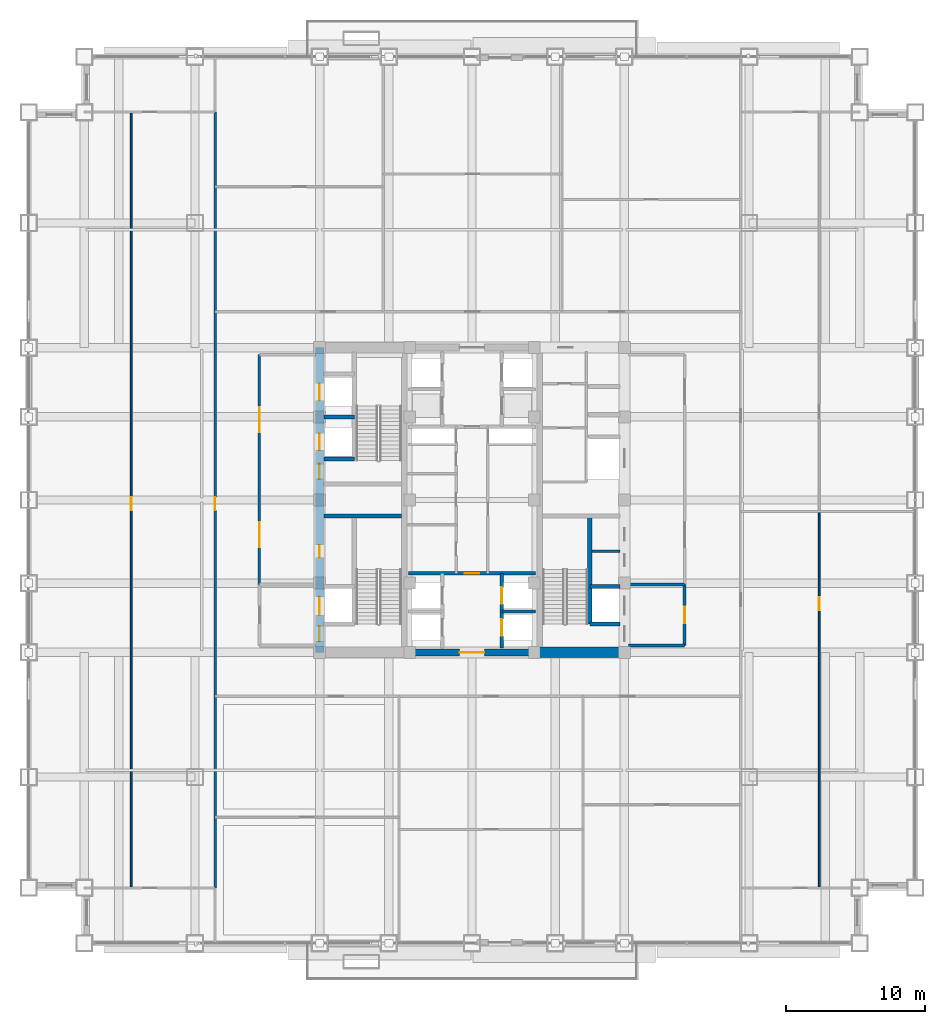
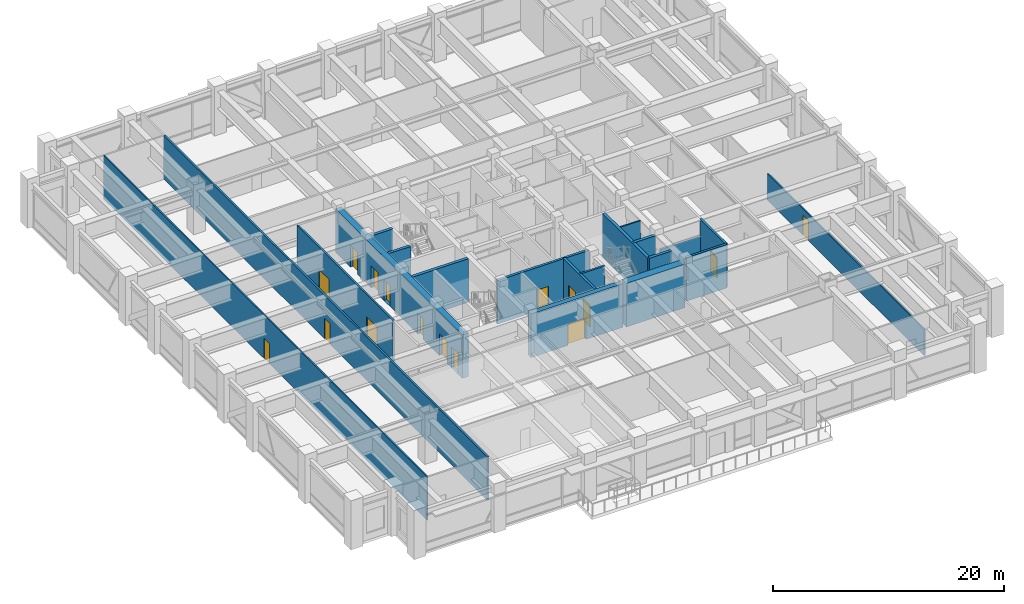
# One storey, part 25 of 34: 20 walls, 16 doors, 16 openings.
"""IFC4 building model written with IfcOpenShell, lengths in metres."""

from ifc_helpers import new_model, si_unit, direction, frame, frame_2d, origin, place, context, subcontext, project, spatial, rectangle, extrude, source, transform, mapped, material, layer, layer_set, type_object, element, fill, save


model = new_model("IFC4")

# Units and contexts
model_context = context("Model", 3, precision=1e-05, world=origin(), true_north=direction((0.0, 1.0)))
body_context = subcontext(model_context, "Body", "Model", "MODEL_VIEW")
ifc_project = project(units=[si_unit("LENGTHUNIT", "METRE"), si_unit("AREAUNIT", "SQUARE_METRE"), si_unit("VOLUMEUNIT", "CUBIC_METRE"), si_unit("PLANEANGLEUNIT", "RADIAN"), si_unit("MASSUNIT", "GRAM", prefix="KILO")], contexts=[model_context])

# Site, building, storey
site_placement = place(None, origin())
site = spatial("IfcSite", under=ifc_project, at=site_placement, CompositionType="ELEMENT")
building_placement = place(site_placement, origin())
building = spatial("IfcBuilding", under=site, at=building_placement, Name="Khorayat Bourse Tower", CompositionType="ELEMENT")
storey_placement = place(building_placement, frame((0.0, 0.0, 144.699951171875)))
storey = spatial("IfcBuildingStorey", under=building, at=storey_placement, Name="L33", CompositionType="ELEMENT", Elevation=144.699951171875)

# Wall, openings, doors
ifc_material_1 = material(Name="Concrete C60/75", Category="concrete")
ifc_layer_1 = layer(ifc_material_1, 0.60009765625)
ifc_layer_set_1 = layer_set([ifc_layer_1], Name="Concrete C60/75")
wall_type_1 = type_object("IfcWallType", Name="WAL-CORE-600", PredefinedType="SHEAR", material=ifc_layer_set_1)
shared_shape_1 = source(origin(), body_context, "Body", "SweptSolid", [
    extrude(rectangle(XDim=22.0, YDim=0.60009765625, at=frame_2d((11.0, 0.0))), origin(), (0.0, 0.0, 1.0), 4.60009765625),
])
wall_1_placement = place(storey_placement, frame((-11.0, -11.0, 0.0), z_axis=(0.0, 0.0, 1.0), x_axis=(0.0, 1.0, 0.0)))
wall_1 = element("IfcWall", 1, at=wall_1_placement, inside=storey, type_object=wall_type_1, Name="L33 Core Shear Wall CORE-W", PredefinedType="SHEAR", context=body_context, shape_type="MappedRepresentation", body=[
    mapped(shared_shape_1, transform((0.0, 0.0, 0.0), scale=1.0)),
])
shared_shape_2 = source(origin(), body_context, "Body", "SweptSolid", [
    extrude(rectangle(XDim=1.10009765625, YDim=2.199951171875, at=frame_2d((0.550048828125, 1.10009765625))), frame((0.0, 0.31005859375, 0.0), z_axis=(0.0, -1.0, 0.0), x_axis=(1.0, 0.0, 0.0)), (0.0, 0.0, 1.0), 0.6201171875),
])
opening_1_placement = place(wall_1_placement, frame((0.800048828125, 0.0, 0.0)))
opening_1 = element("IfcOpeningElement", 2, at=opening_1_placement, cuts=wall_1, Name="Opening DI-01", PredefinedType="OPENING", context=body_context, shape_type="MappedRepresentation", body=[
    mapped(shared_shape_2, transform((0.0, 0.0, 0.0), scale=1.0)),
])
opening_2_placement = place(wall_1_placement, frame((12.5, 0.0, 0.0)))
opening_2 = element("IfcOpeningElement", 3, at=opening_2_placement, cuts=wall_1, Name="Opening DI-01", PredefinedType="OPENING", context=body_context, shape_type="MappedRepresentation", body=[
    mapped(shared_shape_2, transform((0.0, 0.0, 0.0), scale=1.0)),
])
shared_shape_3 = source(origin(), body_context, "Body", "SweptSolid", [
    extrude(rectangle(XDim=0.89990234375, YDim=2.14990234375, at=frame_2d((0.449951171875, 1.074951171875))), frame((0.0, 0.31005859375, 0.0), z_axis=(0.0, -1.0, 0.0), x_axis=(1.0, 0.0, 0.0)), (0.0, 0.0, 1.0), 0.6201171875),
])
opening_3_placement = place(wall_1_placement, frame((6.85009765625, 0.0, 0.0)))
opening_3 = element("IfcOpeningElement", 4, at=opening_3_placement, cuts=wall_1, Name="Opening DI-06", PredefinedType="OPENING", context=body_context, shape_type="MappedRepresentation", body=[
    mapped(shared_shape_3, transform((0.0, 0.0, 0.0), scale=1.0)),
])
shared_shape_4 = source(origin(), body_context, "Body", "SweptSolid", [
    extrude(rectangle(XDim=1.199951171875, YDim=2.300048828125, at=frame_2d((0.60009765625, 1.14990234375))), frame((0.0, 0.31005859375, 0.0), z_axis=(0.0, -1.0, 0.0), x_axis=(1.0, 0.0, 0.0)), (0.0, 0.0, 1.0), 0.6201171875),
])
opening_4_placement = place(wall_1_placement, frame((14.60009765625, 0.0, 0.0)))
opening_4 = element("IfcOpeningElement", 5, at=opening_4_placement, cuts=wall_1, Name="Opening LD-01", PredefinedType="OPENING", context=body_context, shape_type="MappedRepresentation", body=[
    mapped(shared_shape_4, transform((0.0, 0.0, 0.0), scale=1.0)),
])
opening_5_placement = place(wall_1_placement, frame((18.199951171875, 0.0, 0.0)))
opening_5 = element("IfcOpeningElement", 6, at=opening_5_placement, cuts=wall_1, Name="Opening LD-01", PredefinedType="OPENING", context=body_context, shape_type="MappedRepresentation", body=[
    mapped(shared_shape_4, transform((0.0, 0.0, 0.0), scale=1.0)),
])
shared_shape_5 = source(origin(), body_context, "Body", "SweptSolid", [
    extrude(rectangle(XDim=1.300048828125, YDim=2.300048828125, at=frame_2d((0.64990234375, 1.14990234375))), frame((0.0, 0.31005859375, 0.0), z_axis=(0.0, -1.0, 0.0), x_axis=(1.0, 0.0, 0.0)), (0.0, 0.0, 1.0), 0.6201171875),
])
opening_6_placement = place(wall_1_placement, frame((2.699951171875, 0.0, 0.0)))
opening_6 = element("IfcOpeningElement", 7, at=opening_6_placement, cuts=wall_1, Name="Opening LD-02", PredefinedType="OPENING", context=body_context, shape_type="MappedRepresentation", body=[
    mapped(shared_shape_5, transform((0.0, 0.0, 0.0), scale=1.0)),
])
ifc_material_2 = material(Name="Fire-rated steel acoustic leaf", Category="steel")
door_type_1 = type_object("IfcDoorType", Name="DR-INT-STAIR-1100", OperationType="NOTDEFINED", PredefinedType="DOOR", material=ifc_material_2)
shared_shape_6 = source(origin(), body_context, "Body", "SweptSolid", [
    extrude(rectangle(XDim=1.10009765625, YDim=2.199951171875, at=frame_2d((0.550048828125, 1.10009765625))), frame((0.0, 0.02490234375, 0.0), z_axis=(0.0, -1.0, 0.0), x_axis=(1.0, 0.0, 0.0)), (0.0, 0.0, 1.0), 0.050048828125),
])
door_1_placement = place(opening_1_placement, origin())
door_1 = element("IfcDoor", 8, at=door_1_placement, inside=storey, type_object=door_type_1, Name="L33 Exit Stair 1 Door", OperationType="SINGLE_SWING_RIGHT", OverallHeight=2.199951171875, OverallWidth=1.10009765625, PredefinedType="DOOR", context=body_context, shape_type="MappedRepresentation", body=[
    mapped(shared_shape_6, transform((0.0, 0.0, 0.0), scale=1.0)),
])
fill(opening_1, door_1)
door_2_placement = place(opening_2_placement, origin())
door_2 = element("IfcDoor", 9, at=door_2_placement, inside=storey, type_object=door_type_1, Name="L33 Exit Stair 2 Door", OperationType="SINGLE_SWING_RIGHT", OverallHeight=2.199951171875, OverallWidth=1.10009765625, PredefinedType="DOOR", context=body_context, shape_type="MappedRepresentation", body=[
    mapped(shared_shape_6, transform((0.0, 0.0, 0.0), scale=1.0)),
])
fill(opening_2, door_2)
ifc_material_3 = material(Name="Moisture-resistant laminate washroom door")
door_type_2 = type_object("IfcDoorType", Name="DR-INT-WC-900", OperationType="NOTDEFINED", PredefinedType="DOOR", material=ifc_material_3)
shared_shape_7 = source(origin(), body_context, "Body", "SweptSolid", [
    extrude(rectangle(XDim=0.89990234375, YDim=2.14990234375, at=frame_2d((0.449951171875, 1.074951171875))), frame((0.0, 0.02490234375, 0.0), z_axis=(0.0, -1.0, 0.0), x_axis=(1.0, 0.0, 0.0)), (0.0, 0.0, 1.0), 0.050048828125),
])
door_3_placement = place(opening_3_placement, origin())
door_3 = element("IfcDoor", 10, at=door_3_placement, inside=storey, type_object=door_type_2, Name="L33 Electrical Switch Plant Room Door", OperationType="SINGLE_SWING_RIGHT", OverallHeight=2.14990234375, OverallWidth=0.89990234375, PredefinedType="DOOR", context=body_context, shape_type="MappedRepresentation", body=[
    mapped(shared_shape_7, transform((0.0, 0.0, 0.0), scale=1.0)),
])
fill(opening_3, door_3)
ifc_material_4 = material(Name="Brushed bronze stainless-steel sliding door", Category="steel")
door_type_3 = type_object("IfcDoorType", Name="DR-LIFT-PASS-1200", OperationType="NOTDEFINED", PredefinedType="DOOR", material=ifc_material_4)
shared_shape_8 = source(origin(), body_context, "Body", "SweptSolid", [
    extrude(rectangle(XDim=1.199951171875, YDim=2.300048828125, at=frame_2d((0.60009765625, 1.14990234375))), frame((0.0, 0.02490234375, 0.0), z_axis=(0.0, -1.0, 0.0), x_axis=(1.0, 0.0, 0.0)), (0.0, 0.0, 1.0), 0.050048828125),
])
door_4_placement = place(opening_4_placement, origin())
door_4 = element("IfcDoor", 11, at=door_4_placement, inside=storey, type_object=door_type_3, Name="L33 Lift PL-H1 Sliding Landing Door", OperationType="SLIDING_TO_LEFT", OverallHeight=2.300048828125, OverallWidth=1.199951171875, PredefinedType="DOOR", context=body_context, shape_type="MappedRepresentation", body=[
    mapped(shared_shape_8, transform((0.0, 0.0, 0.0), scale=1.0)),
])
fill(opening_4, door_4)
door_5_placement = place(opening_5_placement, origin())
door_5 = element("IfcDoor", 12, at=door_5_placement, inside=storey, type_object=door_type_3, Name="L33 Lift PL-H2 Sliding Landing Door", OperationType="SLIDING_TO_LEFT", OverallHeight=2.300048828125, OverallWidth=1.199951171875, PredefinedType="DOOR", context=body_context, shape_type="MappedRepresentation", body=[
    mapped(shared_shape_8, transform((0.0, 0.0, 0.0), scale=1.0)),
])
fill(opening_5, door_5)
ifc_material_5 = material(Name="Fire-rated stainless-steel sliding landing door", Category="steel")
door_type_4 = type_object("IfcDoorType", Name="DR-LIFT-FF-1300", OperationType="NOTDEFINED", PredefinedType="DOOR", material=ifc_material_5)
shared_shape_9 = source(origin(), body_context, "Body", "SweptSolid", [
    extrude(rectangle(XDim=1.300048828125, YDim=2.300048828125, at=frame_2d((0.64990234375, 1.14990234375))), frame((0.0, 0.02490234375, 0.0), z_axis=(0.0, -1.0, 0.0), x_axis=(1.0, 0.0, 0.0)), (0.0, 0.0, 1.0), 0.050048828125),
])
door_6_placement = place(opening_6_placement, origin())
door_6 = element("IfcDoor", 13, at=door_6_placement, inside=storey, type_object=door_type_4, Name="L33 Lift FFL-01 Sliding Landing Door", OperationType="SLIDING_TO_LEFT", OverallHeight=2.300048828125, OverallWidth=1.300048828125, PredefinedType="DOOR", context=body_context, shape_type="MappedRepresentation", body=[
    mapped(shared_shape_9, transform((0.0, 0.0, 0.0), scale=1.0)),
])
fill(opening_6, door_6)

# Walls
ifc_material_6 = material(Name="Concrete C72/90", Category="concrete")
ifc_layer_2 = layer(ifc_material_6, 0.75)
ifc_layer_set_2 = layer_set([ifc_layer_2], Name="Concrete C72/90")
wall_type_2 = type_object("IfcWallType", Name="WAL-CORE-750", PredefinedType="SHEAR", material=ifc_layer_set_2)
shared_shape_10 = source(origin(), body_context, "Body", "SweptSolid", [
    extrude(rectangle(XDim=5.849853515625, YDim=0.75, at=frame_2d((2.9248046875, 0.0))), origin(), (0.0, 0.0, 1.0), 4.60009765625),
])
wall_2_placement = place(storey_placement, frame((4.85009765625, -11.0, 0.0), z_axis=(0.0, 0.0, 1.0), x_axis=(1.0, 0.0, 0.0)))
element("IfcWall", 14, at=wall_2_placement, inside=storey, type_object=wall_type_2, Name="L33 Core Shear Wall PIER-ES", PredefinedType="SHEAR", context=body_context, shape_type="MappedRepresentation", body=[
    mapped(shared_shape_10, transform((0.0, 0.0, 0.0), scale=1.0)),
])
ifc_material_7 = material(Name="Concrete C50/60", Category="concrete")
ifc_layer_3 = layer(ifc_material_7, 0.300048828125)
ifc_layer_set_3 = layer_set([ifc_layer_3], Name="Concrete C50/60")
wall_type_3 = type_object("IfcWallType", Name="WAL-SHAFT-300", PredefinedType="SHEAR", material=ifc_layer_set_3)
shared_shape_11 = source(origin(), body_context, "Body", "SweptSolid", [
    extrude(rectangle(XDim=5.599853515625, YDim=0.300048828125, at=frame_2d((2.7998046875, 0.0))), origin(), (0.0, 0.0, 1.0), 4.60009765625),
])
wall_3_placement = place(storey_placement, frame((-10.699951171875, -1.14990234375, 0.0), z_axis=(0.0, 0.0, 1.0), x_axis=(1.0, 0.0, 0.0)))
element("IfcWall", 15, at=wall_3_placement, inside=storey, type_object=wall_type_3, Name="L33 Core Shear Wall ST1-DIV", PredefinedType="SHEAR", context=body_context, shape_type="MappedRepresentation", body=[
    mapped(shared_shape_11, transform((0.0, 0.0, 0.0), scale=1.0)),
])

# Wall, opening, door
ifc_material_8 = material(Name="Concrete C52/65", Category="concrete")
ifc_layer_4 = layer(ifc_material_8, 0.5)
ifc_layer_set_4 = layer_set([ifc_layer_4], Name="Concrete C52/65")
wall_type_4 = type_object("IfcWallType", Name="WAL-CORE-500", PredefinedType="SHEAR", material=ifc_layer_set_4)
shared_shape_12 = source(origin(), body_context, "Body", "SweptSolid", [
    extrude(rectangle(XDim=9.2001953125, YDim=0.5, at=frame_2d((4.60009765625, 0.0))), origin(), (0.0, 0.0, 1.0), 4.60009765625),
])
wall_4_placement = place(storey_placement, frame((-4.60009765625, -11.0, 0.0), z_axis=(0.0, 0.0, 1.0), x_axis=(1.0, 0.0, 0.0)))
wall_4 = element("IfcWall", 16, at=wall_4_placement, inside=storey, type_object=wall_type_4, Name="L33 Core Shear Wall CORE-S", PredefinedType="SHEAR", context=body_context, shape_type="MappedRepresentation", body=[
    mapped(shared_shape_12, transform((0.0, 0.0, 0.0), scale=1.0)),
])
shared_shape_13 = source(origin(), body_context, "Body", "SweptSolid", [
    extrude(rectangle(XDim=1.800048828125, YDim=2.25, at=frame_2d((0.89990234375, 1.125))), frame((0.0, 0.260009765625, 0.0), z_axis=(0.0, -1.0, 0.0), x_axis=(1.0, 0.0, 0.0)), (0.0, 0.0, 1.0), 0.52001953125),
])
opening_7_placement = place(wall_4_placement, frame((3.699951171875, 0.0, 0.0)))
opening_7 = element("IfcOpeningElement", 17, at=opening_7_placement, cuts=wall_4, Name="Opening DI-03", PredefinedType="OPENING", context=body_context, shape_type="MappedRepresentation", body=[
    mapped(shared_shape_13, transform((0.0, 0.0, 0.0), scale=1.0)),
])
ifc_material_9 = material(Name="Fire-rated hardwood vision-panel double leaf", Category="wood")
door_type_5 = type_object("IfcDoorType", Name="DR-INT-CORR-1800", OperationType="NOTDEFINED", PredefinedType="DOOR", material=ifc_material_9)
shared_shape_14 = source(origin(), body_context, "Body", "SweptSolid", [
    extrude(rectangle(XDim=1.800048828125, YDim=2.25, at=frame_2d((0.89990234375, 1.125))), frame((0.0, 0.02490234375, 0.0), z_axis=(0.0, -1.0, 0.0), x_axis=(1.0, 0.0, 0.0)), (0.0, 0.0, 1.0), 0.050048828125),
])
door_7_placement = place(opening_7_placement, origin())
door_7 = element("IfcDoor", 18, at=door_7_placement, inside=storey, type_object=door_type_5, Name="L33 Low-Rise Lift Lobby Door", OperationType="SINGLE_SWING_LEFT", OverallHeight=2.25, OverallWidth=1.800048828125, PredefinedType="DOOR", context=body_context, shape_type="MappedRepresentation", body=[
    mapped(shared_shape_14, transform((0.0, 0.0, 0.0), scale=1.0)),
])
fill(opening_7, door_7)

# Walls
shared_shape_15 = source(origin(), body_context, "Body", "SweptSolid", [
    extrude(rectangle(XDim=7.800048828125, YDim=0.300048828125, at=frame_2d((3.89990234375, 0.0))), origin(), (0.0, 0.0, 1.0), 4.60009765625),
])
wall_5_placement = place(storey_placement, frame((8.5, -8.949951171875, 0.0), z_axis=(0.0, 0.0, 1.0), x_axis=(0.0, 1.0, 0.0)))
element("IfcWall", 19, at=wall_5_placement, inside=storey, type_object=wall_type_3, Name="L33 Partition WAL-L33-EPIER-SP", PredefinedType="SHEAR", context=body_context, shape_type="MappedRepresentation", body=[
    mapped(shared_shape_15, transform((0.0, 0.0, 0.0), scale=1.0)),
])
shared_shape_16 = source(origin(), body_context, "Body", "SweptSolid", [
    extrude(rectangle(XDim=2.199951171875, YDim=0.300048828125, at=frame_2d((1.10009765625, 0.0))), origin(), (0.0, 0.0, 1.0), 4.60009765625),
])
for number, where, z_axis, x_axis, name in (
    (20, (-10.699951171875, 2.949951171875, 0.0), (0.0, 0.0, 1.0), (1.0, 0.0, 0.0), "L33 Partition WAL-L33-WPIER-H1S"),
    (21, (-10.699951171875, 6.0, 0.0), (0.0, 0.0, 1.0), (1.0, 0.0, 0.0), "L33 Partition WAL-L33-WPIER-H12"),
    (22, (8.5, -8.949951171875, 0.0), (0.0, 0.0, 1.0), (1.0, 0.0, 0.0), "L33 Partition WAL-L33-EPIER-FF2S"),
    (23, (8.5, -6.25, 0.0), (0.0, 0.0, 1.0), (1.0, 0.0, 0.0), "L33 Partition WAL-L33-EPIER-FF2N"),
):
    element("IfcWall", number, at=place(storey_placement, frame(where, z_axis=z_axis, x_axis=x_axis)), inside=storey, type_object=wall_type_3, Name=name, PredefinedType="SHEAR", context=body_context, shape_type="MappedRepresentation", body=[
        mapped(shared_shape_16, transform((0.0, 0.0, 0.0), scale=1.0)),
    ])
ifc_material_10 = material(Name="Gypsum plasterboard twin-frame partition")
ifc_layer_5 = layer(ifc_material_10, 0.14990234375)
ifc_layer_set_5 = layer_set([ifc_layer_5], Name="Gypsum plasterboard twin-frame partition")
wall_type_5 = type_object("IfcWallType", Name="WAL-PART-SUITE-150", PredefinedType="PARTITIONING", material=ifc_layer_set_5)
shared_shape_17 = source(origin(), body_context, "Body", "SweptSolid", [
    extrude(rectangle(XDim=2.050048828125, YDim=0.14990234375, at=frame_2d((1.02490234375, 0.0))), origin(), (0.0, 0.0, 1.0), 4.60009765625),
])
wall_6_placement = place(storey_placement, frame((8.64990234375, -3.699951171875, 0.0), z_axis=(0.0, 0.0, 1.0), x_axis=(1.0, 0.0, 0.0)))
element("IfcWall", 24, at=wall_6_placement, inside=storey, type_object=wall_type_5, Name="L33 Partition WAL-L33-ESRV-D1", PredefinedType="PARTITIONING", context=body_context, shape_type="MappedRepresentation", body=[
    mapped(shared_shape_17, transform((0.0, 0.0, 0.0), scale=1.0)),
])
ifc_material_11 = material(Name="Aerated concrete blockwork", Category="masonry")
ifc_layer_6 = layer(ifc_material_11, 0.219970703125)
ifc_layer_set_6 = layer_set([ifc_layer_6], Name="Aerated concrete blockwork")
wall_type_6 = type_object("IfcWallType", Name="WAL-PART-FF-220", PredefinedType="PARTITIONING", material=ifc_layer_set_6)
shared_shape_18 = source(origin(), body_context, "Body", "SweptSolid", [
    extrude(rectangle(XDim=4.050048828125, YDim=0.219970703125, at=frame_2d((2.02490234375, 0.0))), origin(), (0.0, 0.0, 1.0), 4.60009765625),
])
wall_7_placement = place(storey_placement, frame((11.300048828125, -10.5, 0.0), z_axis=(0.0, 0.0, 1.0), x_axis=(1.0, 0.0, 0.0)))
element("IfcWall", 25, at=wall_7_placement, inside=storey, type_object=wall_type_6, Name="L33 Partition WAL-L33-FFLE-S", PredefinedType="PARTITIONING", context=body_context, shape_type="MappedRepresentation", body=[
    mapped(shared_shape_18, transform((0.0, 0.0, 0.0), scale=1.0)),
])
shared_shape_19 = source(origin(), body_context, "Body", "SweptSolid", [
    extrude(rectangle(XDim=4.050048828125, YDim=0.219970703125, at=frame_2d((2.02490234375, 0.0))), origin(), (0.0, 0.0, 1.0), 2.800048828125),
])
wall_8_placement = place(storey_placement, frame((11.300048828125, -6.10009765625, 0.0), z_axis=(0.0, 0.0, 1.0), x_axis=(1.0, 0.0, 0.0)))
element("IfcWall", 26, at=wall_8_placement, inside=storey, type_object=wall_type_6, Name="L33 Partition WAL-L33-FFLE-N", PredefinedType="PARTITIONING", context=body_context, shape_type="MappedRepresentation", body=[
    mapped(shared_shape_19, transform((0.0, 0.0, 0.0), scale=1.0)),
])

# Wall, opening, door
shared_shape_20 = source(origin(), body_context, "Body", "SweptSolid", [
    extrude(rectangle(XDim=4.39990234375, YDim=0.219970703125, at=frame_2d((2.199951171875, 0.0))), origin(), (0.0, 0.0, 1.0), 4.60009765625),
])
wall_9_placement = place(storey_placement, frame((15.35009765625, -10.5, 0.0), z_axis=(0.0, 0.0, 1.0), x_axis=(0.0, 1.0, 0.0)))
wall_9 = element("IfcWall", 27, at=wall_9_placement, inside=storey, type_object=wall_type_6, Name="L33 Partition WAL-L33-FFLE-E", PredefinedType="PARTITIONING", context=body_context, shape_type="MappedRepresentation", body=[
    mapped(shared_shape_20, transform((0.0, 0.0, 0.0), scale=1.0)),
])
shared_shape_21 = source(origin(), body_context, "Body", "SweptSolid", [
    extrude(rectangle(XDim=1.199951171875, YDim=2.199951171875, at=frame_2d((0.60009765625, 1.10009765625))), frame((0.0, 0.119873046875, 0.0), z_axis=(0.0, -1.0, 0.0), x_axis=(1.0, 0.0, 0.0)), (0.0, 0.0, 1.0), 0.239990234375),
])
opening_8_placement = place(wall_9_placement, frame((1.60009765625, 0.0, 0.0)))
opening_8 = element("IfcOpeningElement", 28, at=opening_8_placement, cuts=wall_9, Name="Opening DI-02", PredefinedType="OPENING", context=body_context, shape_type="MappedRepresentation", body=[
    mapped(shared_shape_21, transform((0.0, 0.0, 0.0), scale=1.0)),
])
ifc_material_12 = material(Name="Fire-rated steel double-seal leaf", Category="steel")
door_type_6 = type_object("IfcDoorType", Name="DR-INT-FFLOBBY-1200", OperationType="NOTDEFINED", PredefinedType="DOOR", material=ifc_material_12)
shared_shape_22 = source(origin(), body_context, "Body", "SweptSolid", [
    extrude(rectangle(XDim=1.199951171875, YDim=2.199951171875, at=frame_2d((0.60009765625, 1.10009765625))), frame((0.0, 0.02490234375, 0.0), z_axis=(0.0, -1.0, 0.0), x_axis=(1.0, 0.0, 0.0)), (0.0, 0.0, 1.0), 0.050048828125),
])
door_8_placement = place(opening_8_placement, origin())
door_8 = element("IfcDoor", 29, at=door_8_placement, inside=storey, type_object=door_type_6, Name="L33 East Firefighting Lobby Door", OperationType="SINGLE_SWING_RIGHT", OverallHeight=2.199951171875, OverallWidth=1.199951171875, PredefinedType="DOOR", context=body_context, shape_type="MappedRepresentation", body=[
    mapped(shared_shape_22, transform((0.0, 0.0, 0.0), scale=1.0)),
])
fill(opening_8, door_8)

# Wall, openings, doors
ifc_material_13 = material(Name="Gypsum plasterboard acoustic stud wall")
ifc_layer_7 = layer(ifc_material_13, 0.179931640625)
ifc_layer_set_7 = layer_set([ifc_layer_7], Name="Gypsum plasterboard acoustic stud wall")
wall_type_7 = type_object("IfcWallType", Name="WAL-PART-CORR-180", PredefinedType="PARTITIONING", material=ifc_layer_set_7)
shared_shape_23 = source(origin(), body_context, "Body", "SweptSolid", [
    extrude(rectangle(XDim=16.60009765625, YDim=0.179931640625, at=frame_2d((8.300048828125, 0.0))), origin(), (0.0, 0.0, 1.0), 4.60009765625),
])
wall_10_placement = place(storey_placement, frame((-15.35009765625, -6.10009765625, 0.0), z_axis=(0.0, 0.0, 1.0), x_axis=(0.0, 1.0, 0.0)))
wall_10 = element("IfcWall", 30, at=wall_10_placement, inside=storey, type_object=wall_type_7, Name="L33 Partition WAL-L33-WLOB-W", PredefinedType="PARTITIONING", context=body_context, shape_type="MappedRepresentation", body=[
    mapped(shared_shape_23, transform((0.0, 0.0, 0.0), scale=1.0)),
])
shared_shape_24 = source(origin(), body_context, "Body", "SweptSolid", [
    extrude(rectangle(XDim=1.800048828125, YDim=2.25, at=frame_2d((0.89990234375, 1.125))), frame((0.0, 0.099853515625, 0.0), z_axis=(0.0, -1.0, 0.0), x_axis=(1.0, 0.0, 0.0)), (0.0, 0.0, 1.0), 0.199951171875),
])
opening_9_placement = place(wall_10_placement, frame((2.699951171875, 0.0, 0.0)))
opening_9 = element("IfcOpeningElement", 31, at=opening_9_placement, cuts=wall_10, Name="Opening DI-03", PredefinedType="OPENING", context=body_context, shape_type="MappedRepresentation", body=[
    mapped(shared_shape_24, transform((0.0, 0.0, 0.0), scale=1.0)),
])
opening_10_placement = place(wall_10_placement, frame((11.0, 0.0, 0.0)))
opening_10 = element("IfcOpeningElement", 32, at=opening_10_placement, cuts=wall_10, Name="Opening DI-03", PredefinedType="OPENING", context=body_context, shape_type="MappedRepresentation", body=[
    mapped(shared_shape_24, transform((0.0, 0.0, 0.0), scale=1.0)),
])
door_9_placement = place(opening_9_placement, origin())
door_9 = element("IfcDoor", 33, at=door_9_placement, inside=storey, type_object=door_type_5, Name="L33 West Core Lobby South Door", OperationType="SINGLE_SWING_LEFT", OverallHeight=2.25, OverallWidth=1.800048828125, PredefinedType="DOOR", context=body_context, shape_type="MappedRepresentation", body=[
    mapped(shared_shape_14, transform((0.0, 0.0, 0.0), scale=1.0)),
])
fill(opening_9, door_9)
door_10_placement = place(opening_10_placement, origin())
door_10 = element("IfcDoor", 34, at=door_10_placement, inside=storey, type_object=door_type_5, Name="L33 West Core Lobby North Door", OperationType="SINGLE_SWING_RIGHT", OverallHeight=2.25, OverallWidth=1.800048828125, PredefinedType="DOOR", context=body_context, shape_type="MappedRepresentation", body=[
    mapped(shared_shape_14, transform((0.0, 0.0, 0.0), scale=1.0)),
])
fill(opening_10, door_10)

shared_shape_25 = source(origin(), body_context, "Body", "SweptSolid", [
    extrude(rectangle(XDim=5.39990234375, YDim=0.25, at=frame_2d((2.699951171875, 0.0))), origin(), (0.0, 0.0, 1.0), 4.60009765625),
])
wall_11_placement = place(storey_placement, frame((2.14990234375, -10.699951171875, 0.0), z_axis=(0.0, 0.0, 1.0), x_axis=(0.0, 1.0, 0.0)))
wall_11 = element("IfcWall", 35, at=wall_11_placement, inside=storey, type_object=wall_type_3, Name="L33 Partition WAL-L33-B1-E", PredefinedType="SHEAR", context=body_context, shape_type="MappedRepresentation", body=[
    mapped(shared_shape_25, transform((0.0, 0.0, 0.0), scale=1.0)),
])
shared_shape_26 = source(origin(), body_context, "Body", "SweptSolid", [
    extrude(rectangle(XDim=1.199951171875, YDim=2.300048828125, at=frame_2d((0.60009765625, 1.14990234375))), frame((0.0, 0.135009765625, 0.0), z_axis=(0.0, -1.0, 0.0), x_axis=(1.0, 0.0, 0.0)), (0.0, 0.0, 1.0), 0.27001953125),
])
opening_11_placement = place(wall_11_placement, frame((0.89990234375, 0.0, 0.0)))
opening_11 = element("IfcOpeningElement", 36, at=opening_11_placement, cuts=wall_11, Name="Opening LD-01", PredefinedType="OPENING", context=body_context, shape_type="MappedRepresentation", body=[
    mapped(shared_shape_26, transform((0.0, 0.0, 0.0), scale=1.0)),
])
opening_12_placement = place(wall_11_placement, frame((3.199951171875, 0.0, 0.0)))
opening_12 = element("IfcOpeningElement", 37, at=opening_12_placement, cuts=wall_11, Name="Opening LD-01", PredefinedType="OPENING", context=body_context, shape_type="MappedRepresentation", body=[
    mapped(shared_shape_26, transform((0.0, 0.0, 0.0), scale=1.0)),
])
door_11_placement = place(opening_11_placement, origin())
door_11 = element("IfcDoor", 38, at=door_11_placement, inside=storey, type_object=door_type_3, Name="L33 Lift PL-L2 Sliding Landing Door", OperationType="SLIDING_TO_LEFT", OverallHeight=2.300048828125, OverallWidth=1.199951171875, PredefinedType="DOOR", context=body_context, shape_type="MappedRepresentation", body=[
    mapped(shared_shape_8, transform((0.0, 0.0, 0.0), scale=1.0)),
])
fill(opening_11, door_11)
door_12_placement = place(opening_12_placement, origin())
door_12 = element("IfcDoor", 39, at=door_12_placement, inside=storey, type_object=door_type_3, Name="L33 Lift PL-L4 Sliding Landing Door", OperationType="SLIDING_TO_LEFT", OverallHeight=2.300048828125, OverallWidth=1.199951171875, PredefinedType="DOOR", context=body_context, shape_type="MappedRepresentation", body=[
    mapped(shared_shape_8, transform((0.0, 0.0, 0.0), scale=1.0)),
])
fill(opening_12, door_12)

# Wall
shared_shape_27 = source(origin(), body_context, "Body", "SweptSolid", [
    extrude(rectangle(XDim=2.4501953125, YDim=0.199951171875, at=frame_2d((1.22509765625, 0.0))), origin(), (0.0, 0.0, 1.0), 4.60009765625),
])
wall_12_placement = place(storey_placement, frame((2.14990234375, -8.050048828125, 0.0), z_axis=(0.0, 0.0, 1.0), x_axis=(1.0, 0.0, 0.0)))
element("IfcWall", 40, at=wall_12_placement, inside=storey, type_object=wall_type_3, Name="L33 Partition WAL-L33-B1-ME", PredefinedType="SHEAR", context=body_context, shape_type="MappedRepresentation", body=[
    mapped(shared_shape_27, transform((0.0, 0.0, 0.0), scale=1.0)),
])

# Wall, opening, door
shared_shape_28 = source(origin(), body_context, "Body", "SweptSolid", [
    extrude(rectangle(XDim=9.2001953125, YDim=0.25, at=frame_2d((4.60009765625, 0.0))), origin(), (0.0, 0.0, 1.0), 4.60009765625),
])
wall_13_placement = place(storey_placement, frame((-4.60009765625, -5.300048828125, 0.0), z_axis=(0.0, 0.0, 1.0), x_axis=(1.0, 0.0, 0.0)))
wall_13 = element("IfcWall", 41, at=wall_13_placement, inside=storey, type_object=wall_type_3, Name="L33 Partition WAL-L33-B1-N", PredefinedType="SHEAR", context=body_context, shape_type="MappedRepresentation", body=[
    mapped(shared_shape_28, transform((0.0, 0.0, 0.0), scale=1.0)),
])
shared_shape_29 = source(origin(), body_context, "Body", "SweptSolid", [
    extrude(rectangle(XDim=1.050048828125, YDim=2.199951171875, at=frame_2d((0.52490234375, 1.10009765625))), frame((0.0, 0.135009765625, 0.0), z_axis=(0.0, -1.0, 0.0), x_axis=(1.0, 0.0, 0.0)), (0.0, 0.0, 1.0), 0.27001953125),
])
opening_13_placement = place(wall_13_placement, frame((4.074951171875, 0.0, 0.0)))
opening_13 = element("IfcOpeningElement", 42, at=opening_13_placement, cuts=wall_13, Name="Opening DI-04", PredefinedType="OPENING", context=body_context, shape_type="MappedRepresentation", body=[
    mapped(shared_shape_29, transform((0.0, 0.0, 0.0), scale=1.0)),
])
ifc_material_14 = material(Name="Fire-rated oak veneer suite entrance door")
door_type_7 = type_object("IfcDoorType", Name="DR-INT-SUITE-1050", OperationType="NOTDEFINED", PredefinedType="DOOR", material=ifc_material_14)
shared_shape_30 = source(origin(), body_context, "Body", "SweptSolid", [
    extrude(rectangle(XDim=1.050048828125, YDim=2.199951171875, at=frame_2d((0.52490234375, 1.10009765625))), frame((0.0, 0.02490234375, 0.0), z_axis=(0.0, -1.0, 0.0), x_axis=(1.0, 0.0, 0.0)), (0.0, 0.0, 1.0), 0.050048828125),
])
door_13_placement = place(opening_13_placement, origin())
door_13 = element("IfcDoor", 43, at=door_13_placement, inside=storey, type_object=door_type_7, Name="L33 Core Spine South Door", OperationType="SINGLE_SWING_LEFT", OverallHeight=2.199951171875, OverallWidth=1.050048828125, PredefinedType="DOOR", context=body_context, shape_type="MappedRepresentation", body=[
    mapped(shared_shape_30, transform((0.0, 0.0, 0.0), scale=1.0)),
])
fill(opening_13, door_13)

ifc_material_15 = material(Name="Gypsum plasterboard partition")
ifc_layer_8 = layer(ifc_material_15, 0.125)
ifc_layer_set_8 = layer_set([ifc_layer_8], Name="Gypsum plasterboard partition")
wall_type_8 = type_object("IfcWallType", Name="WAL-PART-ROOM-125", PredefinedType="PARTITIONING", material=ifc_layer_set_8)
shared_shape_31 = source(origin(), body_context, "Body", "SweptSolid", [
    extrude(rectangle(XDim=56.0, YDim=0.125, at=frame_2d((28.0, 0.0))), origin(), (0.0, 0.0, 1.0), 4.60009765625),
])
wall_14_placement = place(storey_placement, frame((-24.6025390625, -28.0, 0.0), z_axis=(0.0, 0.0, 1.0), x_axis=(0.0, 1.0, 0.0)))
wall_14 = element("IfcWall", 44, at=wall_14_placement, inside=storey, type_object=wall_type_8, Name="L33 Partition WAL-L33-WDP-1", PredefinedType="PARTITIONING", context=body_context, shape_type="MappedRepresentation", body=[
    mapped(shared_shape_31, transform((0.0, 0.0, 0.0), scale=1.0)),
])
shared_shape_32 = source(origin(), body_context, "Body", "SweptSolid", [
    extrude(rectangle(XDim=0.949951171875, YDim=2.14990234375, at=frame_2d((0.47509765625, 1.074951171875))), frame((0.0, 0.072509765625, 0.0), z_axis=(0.0, -1.0, 0.0), x_axis=(1.0, 0.0, 0.0)), (0.0, 0.0, 1.0), 0.14501953125),
])
opening_14_placement = place(wall_14_placement, frame((27.25, 0.0, 0.0)))
opening_14 = element("IfcOpeningElement", 45, at=opening_14_placement, cuts=wall_14, Name="Opening DI-05", PredefinedType="OPENING", context=body_context, shape_type="MappedRepresentation", body=[
    mapped(shared_shape_32, transform((0.0, 0.0, 0.0), scale=1.0)),
])
ifc_material_16 = material(Name="Acoustic oak veneer office door")
door_type_8 = type_object("IfcDoorType", Name="DR-INT-OFFICE-950", OperationType="NOTDEFINED", PredefinedType="DOOR", material=ifc_material_16)
shared_shape_33 = source(origin(), body_context, "Body", "SweptSolid", [
    extrude(rectangle(XDim=0.949951171875, YDim=2.14990234375, at=frame_2d((0.47509765625, 1.074951171875))), frame((0.0, 0.02490234375, 0.0), z_axis=(0.0, -1.0, 0.0), x_axis=(1.0, 0.0, 0.0)), (0.0, 0.0, 1.0), 0.050048828125),
])
door_14_placement = place(opening_14_placement, origin())
door_14 = element("IfcDoor", 46, at=door_14_placement, inside=storey, type_object=door_type_8, Name="L33 Quantitative Research Study W1B Door", OperationType="SINGLE_SWING_RIGHT", OverallHeight=2.14990234375, OverallWidth=0.949951171875, PredefinedType="DOOR", context=body_context, shape_type="MappedRepresentation", body=[
    mapped(shared_shape_33, transform((0.0, 0.0, 0.0), scale=1.0)),
])
fill(opening_14, door_14)

shared_shape_34 = source(origin(), body_context, "Body", "SweptSolid", [
    extrude(rectangle(XDim=56.0, YDim=0.179931640625, at=frame_2d((28.0, 0.0))), origin(), (0.0, 0.0, 1.0), 4.60009765625),
])
wall_15_placement = place(storey_placement, frame((-18.550048828125, -28.0, 0.0), z_axis=(0.0, 0.0, 1.0), x_axis=(0.0, 1.0, 0.0)))
wall_15 = element("IfcWall", 47, at=wall_15_placement, inside=storey, type_object=wall_type_7, Name="L33 Partition WAL-L33-WCORR", PredefinedType="PARTITIONING", context=body_context, shape_type="MappedRepresentation", body=[
    mapped(shared_shape_34, transform((0.0, 0.0, 0.0), scale=1.0)),
])
shared_shape_35 = source(origin(), body_context, "Body", "SweptSolid", [
    extrude(rectangle(XDim=0.949951171875, YDim=2.14990234375, at=frame_2d((0.47509765625, 1.074951171875))), frame((0.0, 0.099853515625, 0.0), z_axis=(0.0, -1.0, 0.0), x_axis=(1.0, 0.0, 0.0)), (0.0, 0.0, 1.0), 0.199951171875),
])
opening_15_placement = place(wall_15_placement, frame((27.25, 0.0, 0.0)))
opening_15 = element("IfcOpeningElement", 48, at=opening_15_placement, cuts=wall_15, Name="Opening DI-05", PredefinedType="OPENING", context=body_context, shape_type="MappedRepresentation", body=[
    mapped(shared_shape_35, transform((0.0, 0.0, 0.0), scale=1.0)),
])
door_15_placement = place(opening_15_placement, origin())
door_15 = element("IfcDoor", 49, at=door_15_placement, inside=storey, type_object=door_type_8, Name="L33 Market Committee Conference Room W1 Door", OperationType="SINGLE_SWING_RIGHT", OverallHeight=2.14990234375, OverallWidth=0.949951171875, PredefinedType="DOOR", context=body_context, shape_type="MappedRepresentation", body=[
    mapped(shared_shape_33, transform((0.0, 0.0, 0.0), scale=1.0)),
])
fill(opening_15, door_15)

shared_shape_36 = source(origin(), body_context, "Body", "SweptSolid", [
    extrude(rectangle(XDim=27.169921875, YDim=0.125, at=frame_2d((13.5849609375, 0.0))), origin(), (0.0, 0.0, 1.0), 2.800048828125),
])
wall_16_placement = place(storey_placement, frame((25.070068359375, -28.0, 0.0), z_axis=(0.0, 0.0, 1.0), x_axis=(0.0, 1.0, 0.0)))
wall_16 = element("IfcWall", 50, at=wall_16_placement, inside=storey, type_object=wall_type_8, Name="L33 Partition WAL-L33-EDP-1", PredefinedType="PARTITIONING", context=body_context, shape_type="MappedRepresentation", body=[
    mapped(shared_shape_36, transform((0.0, 0.0, 0.0), scale=1.0)),
])
opening_16_placement = place(wall_16_placement, frame((20.034912109375, 0.0, 0.0)))
opening_16 = element("IfcOpeningElement", 51, at=opening_16_placement, cuts=wall_16, Name="Opening DI-05", PredefinedType="OPENING", context=body_context, shape_type="MappedRepresentation", body=[
    mapped(shared_shape_32, transform((0.0, 0.0, 0.0), scale=1.0)),
])
door_16_placement = place(opening_16_placement, origin())
door_16 = element("IfcDoor", 52, at=door_16_placement, inside=storey, type_object=door_type_8, Name="L33 Issuer Listing Showroom E1B Door", OperationType="SINGLE_SWING_RIGHT", OverallHeight=2.14990234375, OverallWidth=0.949951171875, PredefinedType="DOOR", context=body_context, shape_type="MappedRepresentation", body=[
    mapped(shared_shape_33, transform((0.0, 0.0, 0.0), scale=1.0)),
])
fill(opening_16, door_16)

save(model, "model.ifc")
